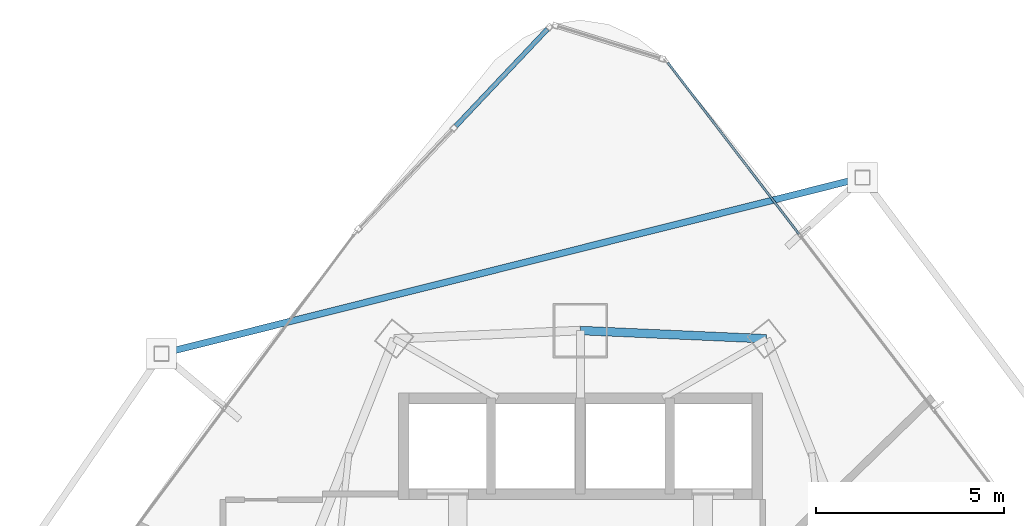
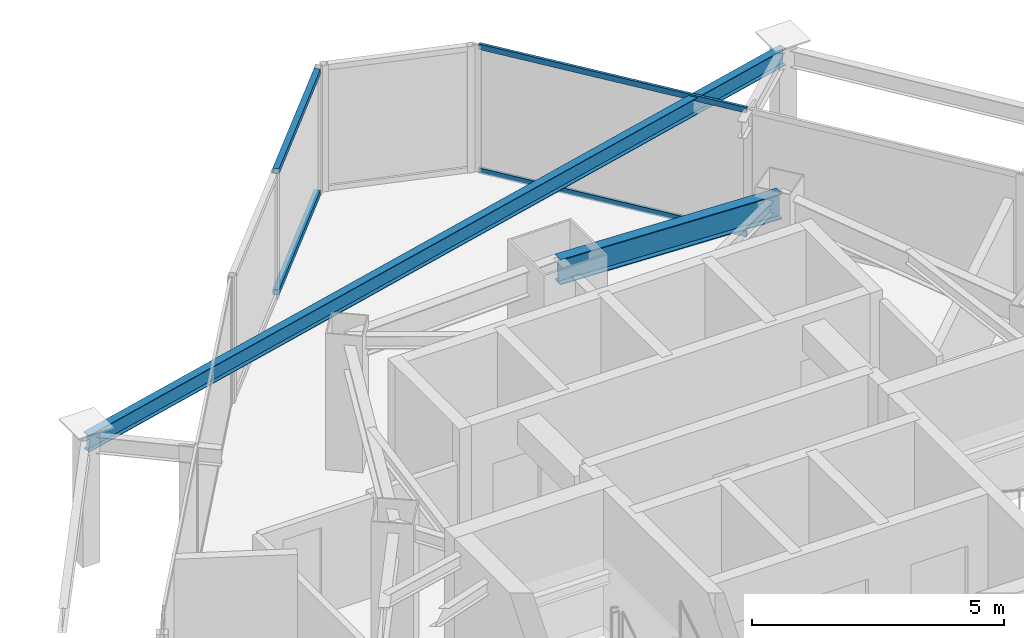
# One storey, part 20 of 31: 4 members, 2 beams, 2 elements without a shape of their own.
"""IFC4 building model written with IfcOpenShell, lengths in metres."""

from ifc_helpers import new_model, si_unit, direction, frame, origin, origin_2d, place, context, subcontext, project, spatial, hollow_rectangle, i_section, extrude, material, layer, layer_set, material_profile, profile_set, type_object, element, aggregate, save


model = new_model("IFC4")

# Units and contexts
model_context = context("Model", 3, precision=1e-05, world=origin(), true_north=direction((0.0, 1.0)))
body_context = subcontext(model_context, "Body", "Model", "MODEL_VIEW")
ifc_project = project(units=[si_unit("LENGTHUNIT", "METRE"), si_unit("AREAUNIT", "SQUARE_METRE"), si_unit("VOLUMEUNIT", "CUBIC_METRE"), si_unit("PLANEANGLEUNIT", "RADIAN"), si_unit("MASSUNIT", "GRAM", prefix="KILO")], contexts=[model_context])

# Site, building, storey
site_placement = place(None, origin())
site = spatial("IfcSite", under=ifc_project, at=site_placement, CompositionType="ELEMENT")
building_placement = place(site_placement, origin())
building = spatial("IfcBuilding", under=site, at=building_placement, Name="Orvanel Arch Residences", CompositionType="ELEMENT")
storey_placement = place(building_placement, frame((0.0, 0.0, 113.300048828125)))
storey = spatial("IfcBuildingStorey", under=building, at=storey_placement, Name="L31", CompositionType="ELEMENT", Elevation=113.300048828125)

# Beams
ifc_material_1 = material(Name="Structural steel AS/NZS 3679.1 Grade 300 (300 MPa)", Category="steel")
ifc_material_profile_1 = material_profile(ifc_material_1, i_section(OverallWidth=0.177978515625, OverallDepth=0.406005859375, WebThickness=0.0078125, FlangeThickness=0.0126953125, at=origin_2d()), Name="410UB59.7")
ifc_profile_set_1 = profile_set([ifc_material_profile_1], Name="Structural steel AS/NZS 3679.1 Grade 300 (300 MPa)")
beam_type_1 = type_object("IfcBeamType", Name="OB-410UB-EXT", PredefinedType="SPANDREL", material=ifc_profile_set_1)
beam_1_placement = place(storey_placement, frame((40.5048828125, 45.4619140625, 2.85693359375), z_axis=(-0.969885704206, -0.243560507426, 0.0), x_axis=(0.243560507426, -0.969885704206, 0.0)))
element("IfcBeam", 1, at=beam_1_placement, inside=storey, type_object=beam_type_1, Name="L31 Outer Perimeter Floor Ring Beam 12", PredefinedType="SPANDREL", context=body_context, shape_type="SweptSolid", body=[
    extrude(i_section(OverallWidth=0.177978515625, OverallDepth=0.406005859375, WebThickness=0.0078125, FlangeThickness=0.0126953125, at=origin_2d()), origin(), (0.0, 0.0, 1.0), 19.22265625),
])
ifc_material_profile_2 = material_profile(ifc_material_1, i_section(OverallWidth=0.22900390625, OverallDepth=0.612060546875, WebThickness=0.011962890625, FlangeThickness=0.01953125, at=origin_2d()), Name="610UB125")
ifc_profile_set_2 = profile_set([ifc_material_profile_2], Name="Structural steel AS/NZS 3679.1 Grade 300 (300 MPa)")
beam_type_2 = type_object("IfcBeamType", Name="SP-610UB", PredefinedType="SPANDREL", material=ifc_profile_set_2)
beam_2_placement = place(storey_placement, frame((37.949951171875, 41.177978515625, 2.75390625), z_axis=(-0.999014049296, 0.044395149614, 0.0), x_axis=(-0.044395149614, -0.999014049296, 0.0)))
element("IfcBeam", 2, at=beam_2_placement, inside=storey, type_object=beam_type_2, Name="L31 Perimeter Spandrel Beam 14", PredefinedType="SPANDREL", context=body_context, shape_type="SweptSolid", body=[
    extrude(i_section(OverallWidth=0.22900390625, OverallDepth=0.612060546875, WebThickness=0.011962890625, FlangeThickness=0.01953125, at=origin_2d()), origin(), (0.0, 0.0, 1.0), 4.954833984375),
])

# Curtain wall, members
ifc_material_2 = material(Name="Bronze-anodised aluminium AA6063-T6", Category="aluminium")
ifc_layer_1 = layer(ifc_material_2, 0.18994140625)
ifc_layer_set_1 = layer_set([ifc_layer_1], Name="Bronze-anodised aluminium AA6063-T6")
curtain_wall_type_1 = type_object("IfcCurtainWallType", Name="CW5-CRN-SYS", PredefinedType="NOTDEFINED", material=ifc_layer_set_1)
curtain_wall_1_placement = place(storey_placement, origin())
curtain_wall_1 = element("IfcCurtainWall", 3, at=curtain_wall_1_placement, inside=storey, type_object=curtain_wall_type_1, Name="L31 CW5-CRN-SYS Unitised Curtain Wall", PredefinedType="NOTDEFINED")
ifc_material_profile_3 = material_profile(ifc_material_2, hollow_rectangle(XDim=0.1298828125, YDim=0.1298828125, WallThickness=0.00439453125, at=origin_2d()), Name="ALU130x130x4.5")
ifc_profile_set_3 = profile_set([ifc_material_profile_3], Name="Bronze-anodised aluminium AA6063-T6")
member_type_1 = type_object("IfcMemberType", Name="TRN-130x130", PredefinedType="USERDEFINED", material=ifc_profile_set_3)
member_1_placement = place(storey_placement, frame((32.1279296875, 49.412109375, 0.06494140625), z_axis=(-0.687148803875, -0.726516704097, 0.0), x_axis=(0.726516704097, -0.687148803875, 0.0)))
member_1 = element("IfcMember", 4, at=member_1_placement, type_object=member_type_1, Name="CW-S5 transom 1.1", ObjectType="TRANSOM", PredefinedType="USERDEFINED", context=body_context, shape_type="SweptSolid", body=[
    extrude(hollow_rectangle(XDim=0.1298828125, YDim=0.1298828125, WallThickness=0.00439453125, at=origin_2d()), origin(), (0.0, 0.0, 1.0), 3.54736328125),
])
member_2_placement = place(storey_placement, frame((32.1279296875, 49.412109375, 2.994873046875), z_axis=(-0.687148803875, -0.726516704097, 0.0), x_axis=(0.726516704097, -0.687148803875, 0.0)))
member_2 = element("IfcMember", 5, at=member_2_placement, type_object=member_type_1, Name="CW-S5 transom 1.2", ObjectType="TRANSOM", PredefinedType="USERDEFINED", context=body_context, shape_type="SweptSolid", body=[
    extrude(hollow_rectangle(XDim=0.1298828125, YDim=0.1298828125, WallThickness=0.00439453125, at=origin_2d()), origin(), (0.0, 0.0, 1.0), 3.54736328125),
])
aggregate(curtain_wall_1, [member_1, member_2])

ifc_layer_2 = layer(ifc_material_2, 0.179931640625)
ifc_layer_set_2 = layer_set([ifc_layer_2], Name="Bronze-anodised aluminium AA6063-T6")
curtain_wall_type_2 = type_object("IfcCurtainWallType", Name="CW3-MID-SYS", PredefinedType="NOTDEFINED", material=ifc_layer_set_2)
curtain_wall_2_placement = place(storey_placement, origin())
curtain_wall_2 = element("IfcCurtainWall", 6, at=curtain_wall_2_placement, inside=storey, type_object=curtain_wall_type_2, Name="L31 CW3-MID-SYS Unitised Curtain Wall", PredefinedType="NOTDEFINED")
ifc_material_profile_4 = material_profile(ifc_material_2, hollow_rectangle(XDim=0.06005859375, YDim=0.135009765625, WallThickness=0.00390625, at=origin_2d()), Name="ALU135x60x4")
ifc_profile_set_4 = profile_set([ifc_material_profile_4], Name="Bronze-anodised aluminium AA6063-T6")
member_type_2 = type_object("IfcMemberType", Name="TRN-135x60", PredefinedType="USERDEFINED", material=ifc_profile_set_4)
member_3_placement = place(storey_placement, frame((38.811767578125, 43.96435546875, 0.030029296875), z_axis=(-0.607901289978, 0.794012607987, 0.0), x_axis=(-0.794012607987, -0.607901289978, 0.0)))
member_3 = element("IfcMember", 7, at=member_3_placement, type_object=member_type_2, Name="CW-S3 transom 3.1", ObjectType="TRANSOM", PredefinedType="USERDEFINED", context=body_context, shape_type="SweptSolid", body=[
    extrude(hollow_rectangle(XDim=0.06005859375, YDim=0.135009765625, WallThickness=0.00390625, at=origin_2d()), origin(), (0.0, 0.0, 1.0), 5.7431640625),
])
member_4_placement = place(storey_placement, frame((38.811767578125, 43.96435546875, 3.030029296875), z_axis=(-0.607901289978, 0.794012607987, 0.0), x_axis=(-0.794012607987, -0.607901289978, 0.0)))
member_4 = element("IfcMember", 8, at=member_4_placement, type_object=member_type_2, Name="CW-S3 transom 3.2", ObjectType="TRANSOM", PredefinedType="USERDEFINED", context=body_context, shape_type="SweptSolid", body=[
    extrude(hollow_rectangle(XDim=0.06005859375, YDim=0.135009765625, WallThickness=0.00390625, at=origin_2d()), origin(), (0.0, 0.0, 1.0), 5.7431640625),
])
aggregate(curtain_wall_2, [member_3, member_4])

save(model, "model.ifc")
